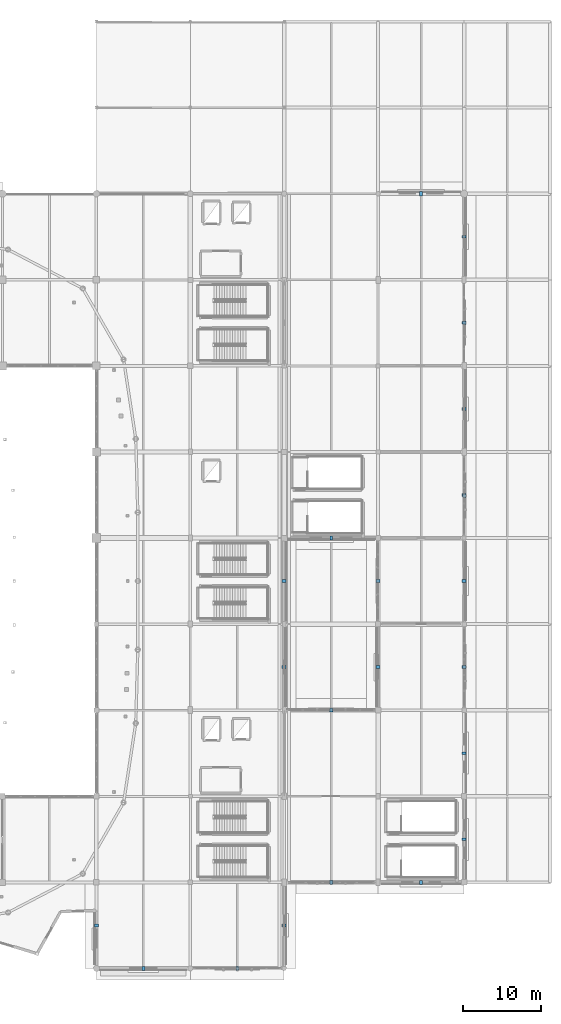
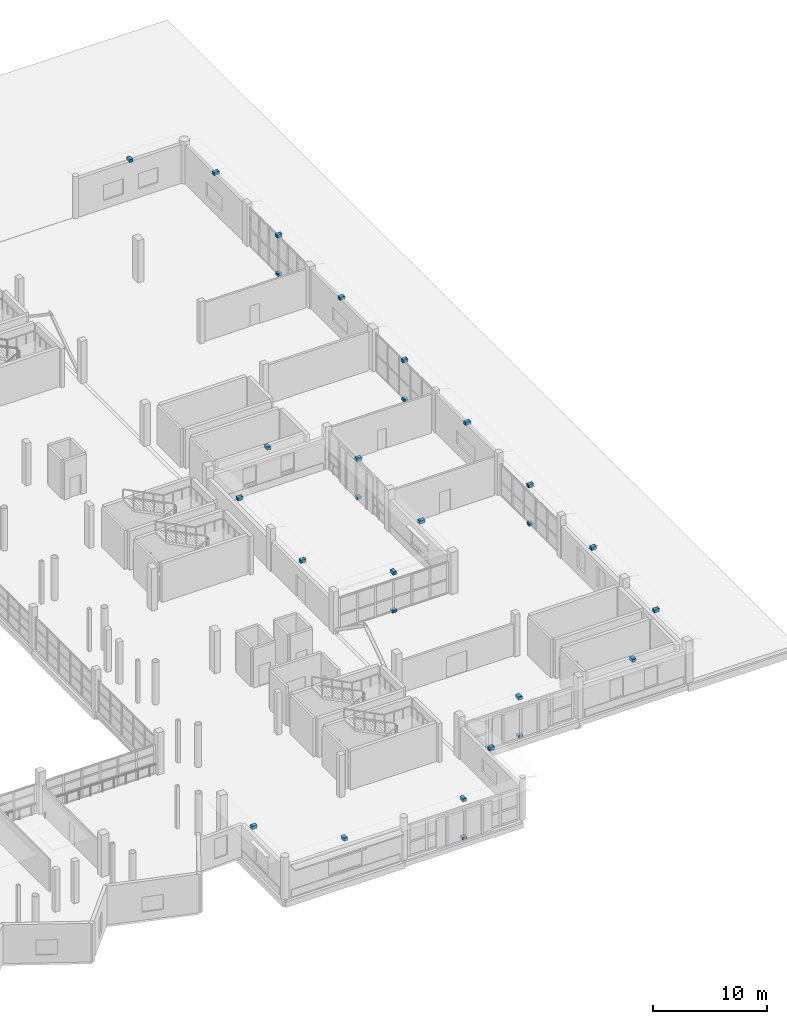
# One storey, part 95 of 118: 28 discrete accessories.
"""IFC4 building model written with IfcOpenShell, lengths in metres."""

from ifc_helpers import new_model, si_unit, direction, frame, origin, origin_2d, place, context, subcontext, project, spatial, rectangle, extrude, material, layer, layer_set, type_object, element, save


model = new_model("IFC4")

# Units and contexts
model_context = context("Model", 3, precision=1e-05, world=origin(), true_north=direction((0.0, 1.0)))
body_context = subcontext(model_context, "Body", "Model", "MODEL_VIEW")
ifc_project = project(units=[si_unit("LENGTHUNIT", "METRE"), si_unit("AREAUNIT", "SQUARE_METRE"), si_unit("VOLUMEUNIT", "CUBIC_METRE"), si_unit("PLANEANGLEUNIT", "RADIAN"), si_unit("MASSUNIT", "GRAM", prefix="KILO")], contexts=[model_context])

# Site, building, storey
site_placement = place(None, origin())
site = spatial("IfcSite", under=ifc_project, at=site_placement, CompositionType="ELEMENT")
building_placement = place(site_placement, origin())
building = spatial("IfcBuilding", under=site, at=building_placement, Name="Luwafu Chhajja Arena", CompositionType="ELEMENT")
storey_placement = place(building_placement, frame((0.0, 0.0, 10.199951171875)))
storey = spatial("IfcBuildingStorey", under=building, at=storey_placement, Name="L02", CompositionType="ELEMENT", Elevation=10.199951171875)

# Discrete accessories
ifc_material = material(Name="Stainless steel bracket", Category="steel")
ifc_layer = layer(ifc_material, 0.179931640625, Name="Stainless steel bracket")
ifc_layer_set = layer_set([ifc_layer], Name="Stainless steel bracket")
discrete_accessory_type = type_object("IfcDiscreteAccessoryType", Name="Stainless Steel Facade Support Bracket", PredefinedType="BRACKET", material=ifc_layer_set)
for number, where, z_axis, x_axis, name in (
    (1, (146.0, 0.0, 4.080078125), (0.0, 0.0, 1.0), (1.0, 0.0, 0.0), "L02 Chhajja Eave Support Bracket 0262"),
    (2, (140.0, 5.5, 4.080078125), (0.0, 0.0, 1.0), (0.0, 1.0, 0.0), "L02 Chhajja Eave Support Bracket 0263"),
    (3, (158.0, 0.0, 4.080078125), (0.0, 0.0, 1.0), (1.0, 0.0, 0.0), "L02 Chhajja Eave Support Bracket 0264"),
):
    element("IfcDiscreteAccessory", number, at=place(storey_placement, frame(where, z_axis=z_axis, x_axis=x_axis)), inside=storey, type_object=discrete_accessory_type, Name=name, PredefinedType="BRACKET", context=body_context, shape_type="SweptSolid", body=[
        extrude(rectangle(XDim=0.360107421875, YDim=0.52001953125, at=origin_2d()), origin(), (0.0, 0.0, 1.0), 0.320068359375),
    ])
discrete_accessory_1_placement = place(storey_placement, frame((158.02490234375, 0.0, -0.009765625), z_axis=(0.0, 0.0, 1.0), x_axis=(1.0, 0.0, 0.0)))
element("IfcDiscreteAccessory", 4, at=discrete_accessory_1_placement, inside=storey, type_object=discrete_accessory_type, Name="Jali Stainless Support Bracket 0265", PredefinedType="BRACKET", context=body_context, shape_type="SweptSolid", body=[
    extrude(rectangle(XDim=0.419921875, YDim=0.419921875, at=origin_2d()), origin(), (0.0, 0.0, 1.0), 0.260009765625),
])
for number, where, z_axis, x_axis, name in (
    (5, (164.0, 5.5, 4.080078125), (0.0, 0.0, 1.0), (0.0, 1.0, 0.0), "L02 Chhajja Eave Support Bracket 0266"),
    (6, (164.0, 38.5, 4.080078125), (0.0, 0.0, 1.0), (0.0, 1.0, 0.0), "L02 Chhajja Eave Support Bracket 0267"),
    (7, (164.0, 49.5, 4.080078125), (0.0, 0.0, 1.0), (0.0, 1.0, 0.0), "L02 Chhajja Eave Support Bracket 0268"),
    (8, (170.0, 11.0, 4.080078125), (0.0, 0.0, 1.0), (1.0, 0.0, 0.0), "L02 Chhajja Eave Support Bracket 0269"),
):
    element("IfcDiscreteAccessory", number, at=place(storey_placement, frame(where, z_axis=z_axis, x_axis=x_axis)), inside=storey, type_object=discrete_accessory_type, Name=name, PredefinedType="BRACKET", context=body_context, shape_type="SweptSolid", body=[
        extrude(rectangle(XDim=0.360107421875, YDim=0.52001953125, at=origin_2d()), origin(), (0.0, 0.0, 1.0), 0.320068359375),
    ])
discrete_accessory_2_placement = place(storey_placement, frame((170.02490234375, 11.0, -0.009765625), z_axis=(0.0, 0.0, 1.0), x_axis=(1.0, 0.0, 0.0)))
element("IfcDiscreteAccessory", 9, at=discrete_accessory_2_placement, inside=storey, type_object=discrete_accessory_type, Name="Jali Stainless Support Bracket 0270", PredefinedType="BRACKET", context=body_context, shape_type="SweptSolid", body=[
    extrude(rectangle(XDim=0.419921875, YDim=0.419921875, at=origin_2d()), origin(), (0.0, 0.0, 1.0), 0.260009765625),
])
discrete_accessory_3_placement = place(storey_placement, frame((170.0, 33.0, 4.080078125), z_axis=(0.0, 0.0, 1.0), x_axis=(1.0, 0.0, 0.0)))
element("IfcDiscreteAccessory", 10, at=discrete_accessory_3_placement, inside=storey, type_object=discrete_accessory_type, Name="L02 Chhajja Eave Support Bracket 0271", PredefinedType="BRACKET", context=body_context, shape_type="SweptSolid", body=[
    extrude(rectangle(XDim=0.360107421875, YDim=0.52001953125, at=origin_2d()), origin(), (0.0, 0.0, 1.0), 0.320068359375),
])
discrete_accessory_4_placement = place(storey_placement, frame((170.02490234375, 33.0, -0.009765625), z_axis=(0.0, 0.0, 1.0), x_axis=(1.0, 0.0, 0.0)))
element("IfcDiscreteAccessory", 11, at=discrete_accessory_4_placement, inside=storey, type_object=discrete_accessory_type, Name="Jali Stainless Support Bracket 0272", PredefinedType="BRACKET", context=body_context, shape_type="SweptSolid", body=[
    extrude(rectangle(XDim=0.419921875, YDim=0.419921875, at=origin_2d()), origin(), (0.0, 0.0, 1.0), 0.260009765625),
])
for number, where, z_axis, x_axis, name in (
    (12, (170.0, 55.0, 4.080078125), (0.0, 0.0, 1.0), (1.0, 0.0, 0.0), "L02 Chhajja Eave Support Bracket 0273"),
    (13, (181.5, 11.0, 4.080078125), (0.0, 0.0, 1.0), (1.0, 0.0, 0.0), "L02 Chhajja Eave Support Bracket 0274"),
    (14, (187.0, 16.5, 4.080078125), (0.0, 0.0, 1.0), (0.0, 1.0, 0.0), "L02 Chhajja Eave Support Bracket 0275"),
    (15, (187.0, 27.5, 4.080078125), (0.0, 0.0, 1.0), (0.0, 1.0, 0.0), "L02 Chhajja Eave Support Bracket 0276"),
    (16, (176.0, 38.5, 4.080078125), (0.0, 0.0, 1.0), (0.0, 1.0, 0.0), "L02 Chhajja Eave Support Bracket 0277"),
    (17, (187.0, 38.5, 4.080078125), (0.0, 0.0, 1.0), (0.0, 1.0, 0.0), "L02 Chhajja Eave Support Bracket 0278"),
):
    element("IfcDiscreteAccessory", number, at=place(storey_placement, frame(where, z_axis=z_axis, x_axis=x_axis)), inside=storey, type_object=discrete_accessory_type, Name=name, PredefinedType="BRACKET", context=body_context, shape_type="SweptSolid", body=[
        extrude(rectangle(XDim=0.360107421875, YDim=0.52001953125, at=origin_2d()), origin(), (0.0, 0.0, 1.0), 0.320068359375),
    ])
discrete_accessory_5_placement = place(storey_placement, frame((187.0, 38.512451171875, -0.009765625), z_axis=(0.0, 0.0, 1.0), x_axis=(0.0, 1.0, 0.0)))
element("IfcDiscreteAccessory", 18, at=discrete_accessory_5_placement, inside=storey, type_object=discrete_accessory_type, Name="Jali Stainless Support Bracket 0279", PredefinedType="BRACKET", context=body_context, shape_type="SweptSolid", body=[
    extrude(rectangle(XDim=0.419921875, YDim=0.419921875, at=origin_2d()), origin(), (0.0, 0.0, 1.0), 0.260009765625),
])
discrete_accessory_6_placement = place(storey_placement, frame((176.0, 49.5, 4.080078125), z_axis=(0.0, 0.0, 1.0), x_axis=(0.0, 1.0, 0.0)))
element("IfcDiscreteAccessory", 19, at=discrete_accessory_6_placement, inside=storey, type_object=discrete_accessory_type, Name="L02 Chhajja Eave Support Bracket 0280", PredefinedType="BRACKET", context=body_context, shape_type="SweptSolid", body=[
    extrude(rectangle(XDim=0.360107421875, YDim=0.52001953125, at=origin_2d()), origin(), (0.0, 0.0, 1.0), 0.320068359375),
])
discrete_accessory_7_placement = place(storey_placement, frame((176.0, 49.512451171875, -0.009765625), z_axis=(0.0, 0.0, 1.0), x_axis=(0.0, 1.0, 0.0)))
element("IfcDiscreteAccessory", 20, at=discrete_accessory_7_placement, inside=storey, type_object=discrete_accessory_type, Name="Jali Stainless Support Bracket 0281", PredefinedType="BRACKET", context=body_context, shape_type="SweptSolid", body=[
    extrude(rectangle(XDim=0.419921875, YDim=0.419921875, at=origin_2d()), origin(), (0.0, 0.0, 1.0), 0.260009765625),
])
for number, where, z_axis, x_axis, name in (
    (21, (187.0, 49.5, 4.080078125), (0.0, 0.0, 1.0), (0.0, 1.0, 0.0), "L02 Chhajja Eave Support Bracket 0282"),
    (22, (187.0, 60.5, 4.080078125), (0.0, 0.0, 1.0), (0.0, 1.0, 0.0), "L02 Chhajja Eave Support Bracket 0283"),
):
    element("IfcDiscreteAccessory", number, at=place(storey_placement, frame(where, z_axis=z_axis, x_axis=x_axis)), inside=storey, type_object=discrete_accessory_type, Name=name, PredefinedType="BRACKET", context=body_context, shape_type="SweptSolid", body=[
        extrude(rectangle(XDim=0.360107421875, YDim=0.52001953125, at=origin_2d()), origin(), (0.0, 0.0, 1.0), 0.320068359375),
    ])
discrete_accessory_8_placement = place(storey_placement, frame((187.0, 60.39990234375, -0.009765625), z_axis=(0.0, 0.0, 1.0), x_axis=(0.0, 1.0, 0.0)))
element("IfcDiscreteAccessory", 23, at=discrete_accessory_8_placement, inside=storey, type_object=discrete_accessory_type, Name="Jali Stainless Support Bracket 0284", PredefinedType="BRACKET", context=body_context, shape_type="SweptSolid", body=[
    extrude(rectangle(XDim=0.419921875, YDim=0.419921875, at=origin_2d()), origin(), (0.0, 0.0, 1.0), 0.260009765625),
])
for number, where, z_axis, x_axis, name in (
    (24, (187.0, 71.5, 4.080078125), (0.0, 0.0, 1.0), (0.0, 1.0, 0.0), "L02 Chhajja Eave Support Bracket 0285"),
    (25, (187.0, 82.5, 4.080078125), (0.0, 0.0, 1.0), (0.0, 1.0, 0.0), "L02 Chhajja Eave Support Bracket 0286"),
):
    element("IfcDiscreteAccessory", number, at=place(storey_placement, frame(where, z_axis=z_axis, x_axis=x_axis)), inside=storey, type_object=discrete_accessory_type, Name=name, PredefinedType="BRACKET", context=body_context, shape_type="SweptSolid", body=[
        extrude(rectangle(XDim=0.360107421875, YDim=0.52001953125, at=origin_2d()), origin(), (0.0, 0.0, 1.0), 0.320068359375),
    ])
discrete_accessory_9_placement = place(storey_placement, frame((187.0, 82.5, -0.009765625), z_axis=(0.0, 0.0, 1.0), x_axis=(0.0, 1.0, 0.0)))
element("IfcDiscreteAccessory", 26, at=discrete_accessory_9_placement, inside=storey, type_object=discrete_accessory_type, Name="Jali Stainless Support Bracket 0287", PredefinedType="BRACKET", context=body_context, shape_type="SweptSolid", body=[
    extrude(rectangle(XDim=0.419921875, YDim=0.419921875, at=origin_2d()), origin(), (0.0, 0.0, 1.0), 0.260009765625),
])
for number, where, z_axis, x_axis, name in (
    (27, (181.5, 99.0, 4.080078125), (0.0, 0.0, 1.0), (1.0, 0.0, 0.0), "L02 Chhajja Eave Support Bracket 0288"),
    (28, (187.0, 93.5, 4.080078125), (0.0, 0.0, 1.0), (0.0, 1.0, 0.0), "L02 Chhajja Eave Support Bracket 0289"),
):
    element("IfcDiscreteAccessory", number, at=place(storey_placement, frame(where, z_axis=z_axis, x_axis=x_axis)), inside=storey, type_object=discrete_accessory_type, Name=name, PredefinedType="BRACKET", context=body_context, shape_type="SweptSolid", body=[
        extrude(rectangle(XDim=0.360107421875, YDim=0.52001953125, at=origin_2d()), origin(), (0.0, 0.0, 1.0), 0.320068359375),
    ])

save(model, "model.ifc")
